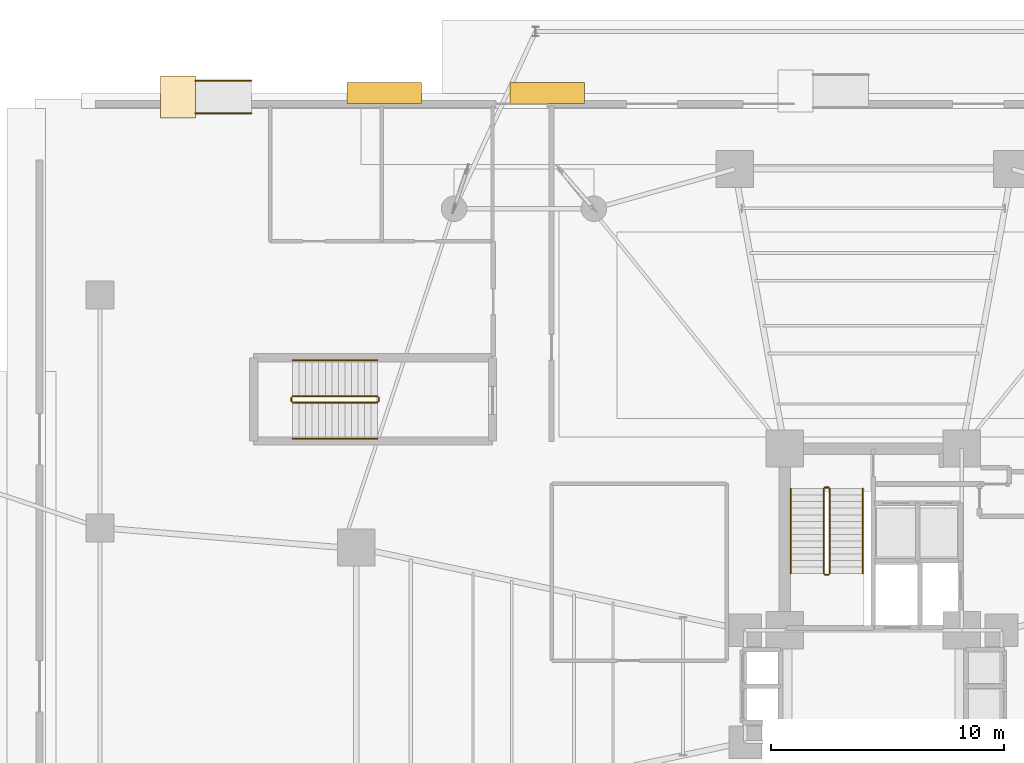
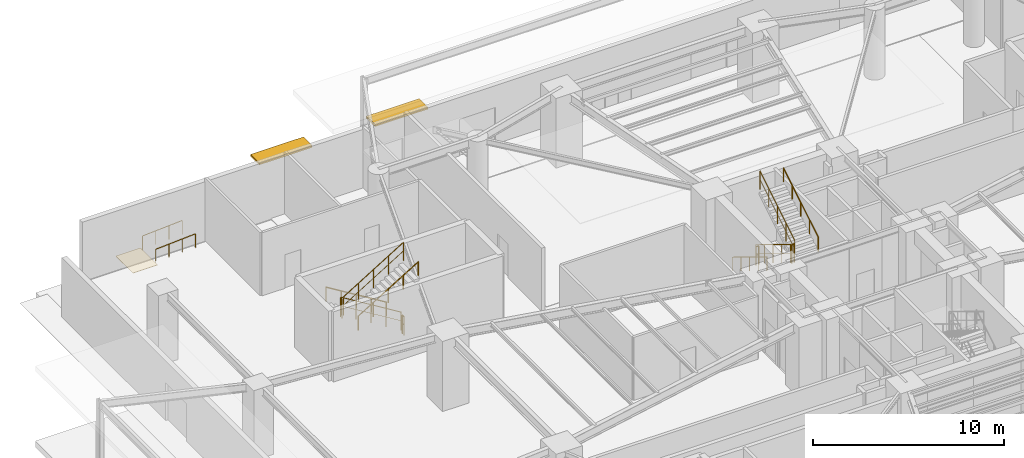
# One storey, part 25 of 31: 14 railings, 2 shading devices, 1 covering.
"""IFC4 building model written with IfcOpenShell, lengths in metres."""

from ifc_helpers import new_model, si_unit, direction, frame, origin, origin_2d, place, context, subcontext, project, spatial, polyline, rectangle, circle, outline, extrude, source, transform, mapped, material, layer, layer_set, type_object, element, save


model = new_model("IFC4")

# Units and contexts
model_context = context("Model", 3, precision=1e-05, world=origin(), true_north=direction((0.0, 1.0)))
body_context = subcontext(model_context, "Body", "Model", "MODEL_VIEW")
ifc_project = project(units=[si_unit("LENGTHUNIT", "METRE"), si_unit("AREAUNIT", "SQUARE_METRE"), si_unit("VOLUMEUNIT", "CUBIC_METRE"), si_unit("PLANEANGLEUNIT", "RADIAN"), si_unit("MASSUNIT", "GRAM", prefix="KILO")], contexts=[model_context])

# Site, building, storey
site_placement = place(None, origin())
site = spatial("IfcSite", under=ifc_project, at=site_placement, CompositionType="ELEMENT")
building_placement = place(site_placement, origin())
building = spatial("IfcBuilding", under=site, at=building_placement, Name="Sahyath Konkavel Grand Hotel", CompositionType="ELEMENT")
storey_placement = place(building_placement, origin())
storey = spatial("IfcBuildingStorey", under=building, at=storey_placement, Name="L00", CompositionType="ELEMENT", Elevation=0.0)

# Covering
ifc_material_1 = material(Name="Honed Deccan Basalt and Warm Sandstone Flooring", Category="masonry")
ifc_layer_1 = layer(ifc_material_1, 0.02001953125)
ifc_layer_set_1 = layer_set([ifc_layer_1], Name="Honed Deccan Basalt and Warm Sandstone Flooring")
covering_type = type_object("IfcCoveringType", Name="COV-STONE-FLR", PredefinedType="FLOORING", material=ifc_layer_set_1)
covering_placement = place(storey_placement, frame((0.0, 0.0, -0.169921875)))
element("IfcCovering", 1, at=covering_placement, inside=storey, type_object=covering_type, Name="L00 Street Walkway Landing PR-1", PredefinedType="FLOORING", context=body_context, shape_type="SweptSolid", body=[
    extrude(outline(polyline([(-30.60009765625, 24.39990234375), (-29.10009765625, 24.39990234375), (-29.10009765625, 26.199951171875), (-30.60009765625, 26.199951171875), (-30.60009765625, 24.39990234375)])), origin(), (0.0, 0.0, 1.0), 0.02001953125),
])

# Railings
ifc_material_2 = material(Name="Steel E350", Category="steel")
railing_type_1 = type_object("IfcRailingType", Name="RLG-STAIR-GRD", PredefinedType="GUARDRAIL", material=ifc_material_2)
railing_1_placement = place(storey_placement, frame((-2.1298828125, 8.47998046875, 0.17138671875)))
element("IfcRailing", 2, at=railing_1_placement, inside=storey, type_object=railing_type_1, Name="L00 ST-1 stair guard 1", PredefinedType="GUARDRAIL", context=body_context, shape_type="SweptSolid", body=[
    extrude(circle(Radius=0.02392578125, at=origin_2d()), frame((0.0, -0.001708984375, 1.177001953125), z_axis=(0.0, -0.852850264322, 0.5221555579), x_axis=(1.0, 0.0, 0.0)), (0.0, 0.0, 1.0), 4.263916015625),
    extrude(circle(Radius=0.01416015625, at=origin_2d()), frame((0.0, -0.001708984375, 0.625), z_axis=(0.0, -0.852850264322, 0.5221555579), x_axis=(1.0, 0.0, 0.0)), (0.0, 0.0, 1.0), 4.263916015625),
    extrude(circle(Radius=0.02099609375, at=origin_2d()), origin(), (0.0, 0.0, 1.0), 1.15185546875),
    extrude(circle(Radius=0.02099609375, at=origin_2d()), frame((0.0, -0.909912109375, 0.55712890625)), (0.0, 0.0, 1.0), 1.15185546875),
    extrude(circle(Radius=0.02099609375, at=origin_2d()), frame((0.0, -1.81982421875, 1.1142578125)), (0.0, 0.0, 1.0), 1.15185546875),
    extrude(circle(Radius=0.02099609375, at=origin_2d()), frame((0.0, -2.72998046875, 1.67138671875)), (0.0, 0.0, 1.0), 1.15185546875),
    extrude(circle(Radius=0.02099609375, at=origin_2d()), frame((0.0, -3.639892578125, 2.228515625)), (0.0, 0.0, 1.0), 1.15185546875),
])
railing_2_placement = place(storey_placement, frame((-2.080078125, 4.7900390625, 2.39990234375)))
element("IfcRailing", 3, at=railing_2_placement, inside=storey, type_object=railing_type_1, Name="L00 ST-1 stair guard 2", PredefinedType="GUARDRAIL", context=body_context, shape_type="SweptSolid", body=[
    extrude(circle(Radius=0.02392578125, at=origin_2d()), frame((0.001953125, 0.0, 1.17578125), z_axis=(1.0, 0.0, 0.0), x_axis=(0.0, 1.0, 0.0)), (0.0, 0.0, 1.0), 0.15625),
    extrude(circle(Radius=0.01416015625, at=origin_2d()), frame((0.001953125, 0.0, 0.6240234375), z_axis=(1.0, 0.0, 0.0), x_axis=(0.0, 1.0, 0.0)), (0.0, 0.0, 1.0), 0.15625),
    extrude(circle(Radius=0.02099609375, at=origin_2d()), origin(), (0.0, 0.0, 1.0), 1.15185546875),
    extrude(circle(Radius=0.02099609375, at=origin_2d()), frame((0.16015625, 0.0, 0.0)), (0.0, 0.0, 1.0), 1.15185546875),
])
railing_3_placement = place(storey_placement, frame((-1.8701171875, 4.840087890625, 2.571533203125)))
element("IfcRailing", 4, at=railing_3_placement, inside=storey, type_object=railing_type_1, Name="L00 ST-1 stair guard 3", PredefinedType="GUARDRAIL", context=body_context, shape_type="SweptSolid", body=[
    extrude(circle(Radius=0.02392578125, at=origin_2d()), frame((0.0, 0.001708984375, 1.177001953125), z_axis=(0.0, 0.852850264322, 0.5221555579), x_axis=(-1.0, 0.0, 0.0)), (0.0, 0.0, 1.0), 4.263916015625),
    extrude(circle(Radius=0.01416015625, at=origin_2d()), frame((0.0, 0.001708984375, 0.625), z_axis=(0.0, 0.852850264322, 0.5221555579), x_axis=(-1.0, 0.0, 0.0)), (0.0, 0.0, 1.0), 4.263916015625),
    extrude(circle(Radius=0.02099609375, at=origin_2d()), origin(), (0.0, 0.0, 1.0), 1.15185546875),
    extrude(circle(Radius=0.02099609375, at=origin_2d()), frame((0.0, 0.909912109375, 0.55712890625)), (0.0, 0.0, 1.0), 1.15185546875),
    extrude(circle(Radius=0.02099609375, at=origin_2d()), frame((0.0, 1.81982421875, 1.1142578125)), (0.0, 0.0, 1.0), 1.15185546875),
    extrude(circle(Radius=0.02099609375, at=origin_2d()), frame((0.0, 2.72998046875, 1.67138671875)), (0.0, 0.0, 1.0), 1.15185546875),
    extrude(circle(Radius=0.02099609375, at=origin_2d()), frame((0.0, 3.639892578125, 2.228515625)), (0.0, 0.0, 1.0), 1.15185546875),
])
railing_4_placement = place(storey_placement, frame((-2.080078125, 8.530029296875, 0.0)))
element("IfcRailing", 5, at=railing_4_placement, inside=storey, type_object=railing_type_1, Name="L00 ST-1 stair guard 4", PredefinedType="GUARDRAIL", context=body_context, shape_type="SweptSolid", body=[
    extrude(circle(Radius=0.02392578125, at=origin_2d()), frame((0.001953125, 0.0, 1.17578125), z_axis=(1.0, 0.0, 0.0), x_axis=(0.0, 1.0, 0.0)), (0.0, 0.0, 1.0), 0.15625),
    extrude(circle(Radius=0.01416015625, at=origin_2d()), frame((0.001953125, 0.0, 0.6240234375), z_axis=(1.0, 0.0, 0.0), x_axis=(0.0, 1.0, 0.0)), (0.0, 0.0, 1.0), 0.15625),
    extrude(circle(Radius=0.02099609375, at=origin_2d()), origin(), (0.0, 0.0, 1.0), 1.15185546875),
    extrude(circle(Radius=0.02099609375, at=origin_2d()), frame((0.16015625, 0.0, 0.0)), (0.0, 0.0, 1.0), 1.15185546875),
])
railing_5_placement = place(storey_placement, frame((-21.2900390625, 12.43994140625, 0.17138671875)))
element("IfcRailing", 6, at=railing_5_placement, inside=storey, type_object=railing_type_1, Name="L00 ST-P1 stair guard 1", PredefinedType="GUARDRAIL", context=body_context, shape_type="SweptSolid", body=[
    extrude(circle(Radius=0.02392578125, at=origin_2d()), frame((-0.001708984375, 0.0, 1.177001953125), z_axis=(-0.852850264322, 0.0, 0.5221555579), x_axis=(0.0, -1.0, 0.0)), (0.0, 0.0, 1.0), 4.263916015625),
    extrude(circle(Radius=0.01416015625, at=origin_2d()), frame((-0.001708984375, 0.0, 0.625), z_axis=(-0.852850264322, 0.0, 0.5221555579), x_axis=(0.0, -1.0, 0.0)), (0.0, 0.0, 1.0), 4.263916015625),
    extrude(circle(Radius=0.02099609375, at=origin_2d()), origin(), (0.0, 0.0, 1.0), 1.15185546875),
    extrude(circle(Radius=0.02099609375, at=origin_2d()), frame((-0.909912109375, 0.0, 0.55712890625)), (0.0, 0.0, 1.0), 1.15185546875),
    extrude(circle(Radius=0.02099609375, at=origin_2d()), frame((-1.81982421875, 0.0, 1.1142578125)), (0.0, 0.0, 1.0), 1.15185546875),
    extrude(circle(Radius=0.02099609375, at=origin_2d()), frame((-2.72998046875, 0.0, 1.67138671875)), (0.0, 0.0, 1.0), 1.15185546875),
    extrude(circle(Radius=0.02099609375, at=origin_2d()), frame((-3.639892578125, 0.0, 2.228515625)), (0.0, 0.0, 1.0), 1.15185546875),
])
railing_6_placement = place(storey_placement, frame((-24.97998046875, 12.389892578125, 2.39990234375)))
element("IfcRailing", 7, at=railing_6_placement, inside=storey, type_object=railing_type_1, Name="L00 ST-P1 stair guard 2", PredefinedType="GUARDRAIL", context=body_context, shape_type="SweptSolid", body=[
    extrude(circle(Radius=0.02392578125, at=origin_2d()), frame((0.0, -0.001953125, 1.17578125), z_axis=(0.0, -1.0, 0.0), x_axis=(1.0, 0.0, 0.0)), (0.0, 0.0, 1.0), 0.156005859375),
    extrude(circle(Radius=0.01416015625, at=origin_2d()), frame((0.0, -0.001953125, 0.6240234375), z_axis=(0.0, -1.0, 0.0), x_axis=(1.0, 0.0, 0.0)), (0.0, 0.0, 1.0), 0.156005859375),
    extrude(circle(Radius=0.02099609375, at=origin_2d()), origin(), (0.0, 0.0, 1.0), 1.15185546875),
    extrude(circle(Radius=0.02099609375, at=origin_2d()), frame((0.0, -0.159912109375, 0.0)), (0.0, 0.0, 1.0), 1.15185546875),
])
railing_7_placement = place(storey_placement, frame((-24.929931640625, 12.179931640625, 2.571533203125)))
element("IfcRailing", 8, at=railing_7_placement, inside=storey, type_object=railing_type_1, Name="L00 ST-P1 stair guard 3", PredefinedType="GUARDRAIL", context=body_context, shape_type="SweptSolid", body=[
    extrude(circle(Radius=0.02392578125, at=origin_2d()), frame((0.001708984375, 0.0, 1.177001953125), z_axis=(0.852850264322, 0.0, 0.5221555579), x_axis=(0.0, 1.0, 0.0)), (0.0, 0.0, 1.0), 4.263916015625),
    extrude(circle(Radius=0.01416015625, at=origin_2d()), frame((0.001708984375, 0.0, 0.625), z_axis=(0.852850264322, 0.0, 0.5221555579), x_axis=(0.0, 1.0, 0.0)), (0.0, 0.0, 1.0), 4.263916015625),
    extrude(circle(Radius=0.02099609375, at=origin_2d()), origin(), (0.0, 0.0, 1.0), 1.15185546875),
    extrude(circle(Radius=0.02099609375, at=origin_2d()), frame((0.909912109375, 0.0, 0.55712890625)), (0.0, 0.0, 1.0), 1.15185546875),
    extrude(circle(Radius=0.02099609375, at=origin_2d()), frame((1.81982421875, 0.0, 1.1142578125)), (0.0, 0.0, 1.0), 1.15185546875),
    extrude(circle(Radius=0.02099609375, at=origin_2d()), frame((2.72998046875, 0.0, 1.67138671875)), (0.0, 0.0, 1.0), 1.15185546875),
    extrude(circle(Radius=0.02099609375, at=origin_2d()), frame((3.639892578125, 0.0, 2.228515625)), (0.0, 0.0, 1.0), 1.15185546875),
])
railing_8_placement = place(storey_placement, frame((-21.239990234375, 12.389892578125, 0.0)))
element("IfcRailing", 9, at=railing_8_placement, inside=storey, type_object=railing_type_1, Name="L00 ST-P1 stair guard 4", PredefinedType="GUARDRAIL", context=body_context, shape_type="SweptSolid", body=[
    extrude(circle(Radius=0.02392578125, at=origin_2d()), frame((0.0, -0.001953125, 1.17578125), z_axis=(0.0, -1.0, 0.0), x_axis=(1.0, 0.0, 0.0)), (0.0, 0.0, 1.0), 0.156005859375),
    extrude(circle(Radius=0.01416015625, at=origin_2d()), frame((0.0, -0.001953125, 0.6240234375), z_axis=(0.0, -1.0, 0.0), x_axis=(1.0, 0.0, 0.0)), (0.0, 0.0, 1.0), 0.156005859375),
    extrude(circle(Radius=0.02099609375, at=origin_2d()), origin(), (0.0, 0.0, 1.0), 1.15185546875),
    extrude(circle(Radius=0.02099609375, at=origin_2d()), frame((0.0, -0.159912109375, 0.0)), (0.0, 0.0, 1.0), 1.15185546875),
])
ifc_material_3 = material(Name="Anodised Bronze Aluminium", Category="aluminium")
railing_type_2 = type_object("IfcRailingType", Name="RLG-STAIR-HND", PredefinedType="HANDRAIL", material=ifc_material_3)
railing_9_placement = place(storey_placement, frame((-3.550048828125, 8.47998046875, 0.17138671875)))
element("IfcRailing", 10, at=railing_9_placement, inside=storey, type_object=railing_type_2, Name="L00 ST-1 stair handrail 1", PredefinedType="HANDRAIL", context=body_context, shape_type="SweptSolid", body=[
    extrude(circle(Radius=0.02392578125, at=origin_2d()), frame((0.0, -0.001708984375, 0.876953125), z_axis=(0.0, -0.852850264322, 0.5221555579), x_axis=(1.0, 0.0, 0.0)), (0.0, 0.0, 1.0), 4.263916015625),
    extrude(circle(Radius=0.02099609375, at=origin_2d()), origin(), (0.0, 0.0, 1.0), 0.851806640625),
    extrude(circle(Radius=0.02099609375, at=origin_2d()), frame((0.0, -0.909912109375, 0.55712890625)), (0.0, 0.0, 1.0), 0.851806640625),
    extrude(circle(Radius=0.02099609375, at=origin_2d()), frame((0.0, -1.81982421875, 1.1142578125)), (0.0, 0.0, 1.0), 0.851806640625),
    extrude(circle(Radius=0.02099609375, at=origin_2d()), frame((0.0, -2.72998046875, 1.67138671875)), (0.0, 0.0, 1.0), 0.851806640625),
    extrude(circle(Radius=0.02099609375, at=origin_2d()), frame((0.0, -3.639892578125, 2.228515625)), (0.0, 0.0, 1.0), 0.851806640625),
])
railing_10_placement = place(storey_placement, frame((-0.449951171875, 4.840087890625, 2.571533203125)))
element("IfcRailing", 11, at=railing_10_placement, inside=storey, type_object=railing_type_2, Name="L00 ST-1 stair handrail 2", PredefinedType="HANDRAIL", context=body_context, shape_type="SweptSolid", body=[
    extrude(circle(Radius=0.02392578125, at=origin_2d()), frame((0.0, 0.001708984375, 0.876953125), z_axis=(0.0, 0.852850264322, 0.5221555579), x_axis=(-1.0, 0.0, 0.0)), (0.0, 0.0, 1.0), 4.263916015625),
    extrude(circle(Radius=0.02099609375, at=origin_2d()), origin(), (0.0, 0.0, 1.0), 0.851806640625),
    extrude(circle(Radius=0.02099609375, at=origin_2d()), frame((0.0, 0.909912109375, 0.55712890625)), (0.0, 0.0, 1.0), 0.851806640625),
    extrude(circle(Radius=0.02099609375, at=origin_2d()), frame((0.0, 1.81982421875, 1.1142578125)), (0.0, 0.0, 1.0), 0.851806640625),
    extrude(circle(Radius=0.02099609375, at=origin_2d()), frame((0.0, 2.72998046875, 1.67138671875)), (0.0, 0.0, 1.0), 0.851806640625),
    extrude(circle(Radius=0.02099609375, at=origin_2d()), frame((0.0, 3.639892578125, 2.228515625)), (0.0, 0.0, 1.0), 0.851806640625),
])
railing_11_placement = place(storey_placement, frame((-21.2900390625, 13.989990234375, 0.17138671875)))
element("IfcRailing", 12, at=railing_11_placement, inside=storey, type_object=railing_type_2, Name="L00 ST-P1 stair handrail 1", PredefinedType="HANDRAIL", context=body_context, shape_type="SweptSolid", body=[
    extrude(circle(Radius=0.02392578125, at=origin_2d()), frame((-0.001708984375, 0.0, 0.876953125), z_axis=(-0.852850264322, 0.0, 0.5221555579), x_axis=(0.0, -1.0, 0.0)), (0.0, 0.0, 1.0), 4.263916015625),
    extrude(circle(Radius=0.02099609375, at=origin_2d()), origin(), (0.0, 0.0, 1.0), 0.851806640625),
    extrude(circle(Radius=0.02099609375, at=origin_2d()), frame((-0.909912109375, 0.0, 0.55712890625)), (0.0, 0.0, 1.0), 0.851806640625),
    extrude(circle(Radius=0.02099609375, at=origin_2d()), frame((-1.81982421875, 0.0, 1.1142578125)), (0.0, 0.0, 1.0), 0.851806640625),
    extrude(circle(Radius=0.02099609375, at=origin_2d()), frame((-2.72998046875, 0.0, 1.67138671875)), (0.0, 0.0, 1.0), 0.851806640625),
    extrude(circle(Radius=0.02099609375, at=origin_2d()), frame((-3.639892578125, 0.0, 2.228515625)), (0.0, 0.0, 1.0), 0.851806640625),
])
railing_12_placement = place(storey_placement, frame((-24.929931640625, 10.6298828125, 2.571533203125)))
element("IfcRailing", 13, at=railing_12_placement, inside=storey, type_object=railing_type_2, Name="L00 ST-P1 stair handrail 2", PredefinedType="HANDRAIL", context=body_context, shape_type="SweptSolid", body=[
    extrude(circle(Radius=0.02392578125, at=origin_2d()), frame((0.001708984375, 0.0, 0.876953125), z_axis=(0.852850264322, 0.0, 0.5221555579), x_axis=(0.0, 1.0, 0.0)), (0.0, 0.0, 1.0), 4.263916015625),
    extrude(circle(Radius=0.02099609375, at=origin_2d()), origin(), (0.0, 0.0, 1.0), 0.851806640625),
    extrude(circle(Radius=0.02099609375, at=origin_2d()), frame((0.909912109375, 0.0, 0.55712890625)), (0.0, 0.0, 1.0), 0.851806640625),
    extrude(circle(Radius=0.02099609375, at=origin_2d()), frame((1.81982421875, 0.0, 1.1142578125)), (0.0, 0.0, 1.0), 0.851806640625),
    extrude(circle(Radius=0.02099609375, at=origin_2d()), frame((2.72998046875, 0.0, 1.67138671875)), (0.0, 0.0, 1.0), 0.851806640625),
    extrude(circle(Radius=0.02099609375, at=origin_2d()), frame((3.639892578125, 0.0, 2.228515625)), (0.0, 0.0, 1.0), 0.851806640625),
])
for number, where, name in (
    (14, (-29.10009765625, 26.0, -0.14990234375), "Accessible Ramp Handrail PR-1-L"),
    (15, (-29.10009765625, 24.60009765625, -0.14990234375), "Accessible Ramp Handrail PR-1-R"),
):
    element("IfcRailing", number, at=place(storey_placement, frame(where)), inside=storey, type_object=railing_type_2, Name=name, PredefinedType="HANDRAIL", context=body_context, shape_type="SweptSolid", body=[
        extrude(circle(Radius=0.02392578125, at=origin_2d()), frame((0.001953125, 0.0, 0.8759765625), z_axis=(0.998055342672, 0.0, 0.062334043373), x_axis=(0.0, 1.0, 0.0)), (0.0, 0.0, 1.0), 2.40087890625),
        extrude(circle(Radius=0.02099609375, at=origin_2d()), origin(), (0.0, 0.0, 1.0), 0.851806640625),
        extrude(circle(Radius=0.02099609375, at=origin_2d()), frame((0.800048828125, 0.0, 0.050048828125)), (0.0, 0.0, 1.0), 0.851806640625),
        extrude(circle(Radius=0.02099609375, at=origin_2d()), frame((1.60009765625, 0.0, 0.099853515625)), (0.0, 0.0, 1.0), 0.851806640625),
        extrude(circle(Radius=0.02099609375, at=origin_2d()), frame((2.400146484375, 0.0, 0.14990234375)), (0.0, 0.0, 1.0), 0.851806640625),
    ])

# Shading devices
ifc_material_4 = material(Name="Warm Buff Sandstone Cladding", Category="masonry")
ifc_layer_2 = layer(ifc_material_4, 0.139892578125)
ifc_layer_set_2 = layer_set([ifc_layer_2], Name="Warm Buff Sandstone Cladding")
shading_device_type = type_object("IfcShadingDeviceType", Name="SHD-STONE-BROW", PredefinedType="AWNING", material=ifc_layer_set_2)
shared_shape = source(origin(), body_context, "Body", "SweptSolid", [
    extrude(rectangle(XDim=3.199951171875, YDim=0.89990234375, at=origin_2d()), origin(), (0.0, 0.0, 1.0), 0.139892578125),
])
for number, where, z_axis, x_axis, name in (
    (16, (-21.0, 25.469970703125, 3.580078125), (0.0, 0.0, 1.0), (1.0, 0.0, 0.0), "L00 Sandstone Solar Overhang 1-N"),
    (17, (-14.0, 25.469970703125, 3.580078125), (0.0, 0.0, 1.0), (1.0, 0.0, 0.0), "L00 Sandstone Solar Overhang 2-N"),
):
    element("IfcShadingDevice", number, at=place(storey_placement, frame(where, z_axis=z_axis, x_axis=x_axis)), inside=storey, type_object=shading_device_type, Name=name, PredefinedType="AWNING", context=body_context, shape_type="MappedRepresentation", body=[
        mapped(shared_shape, transform((0.0, 0.0, 0.0), scale=1.0)),
    ])

save(model, "model.ifc")
